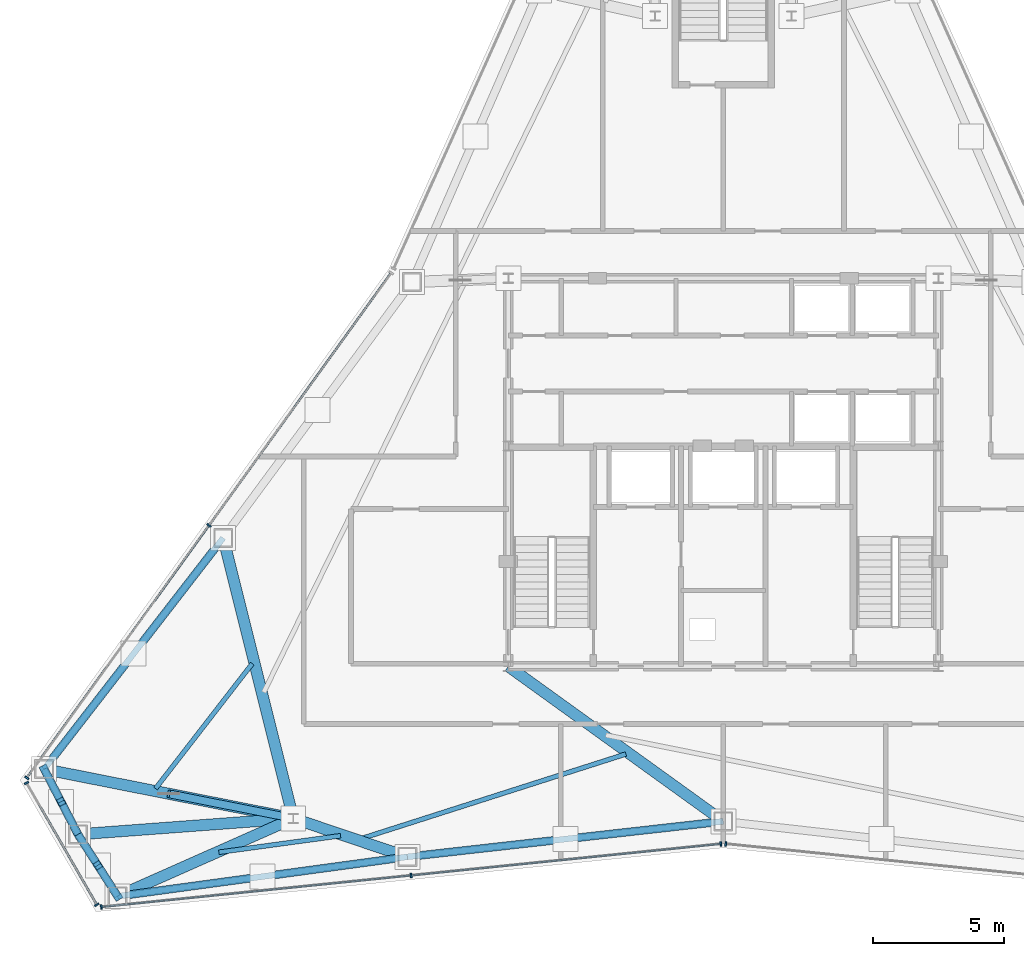
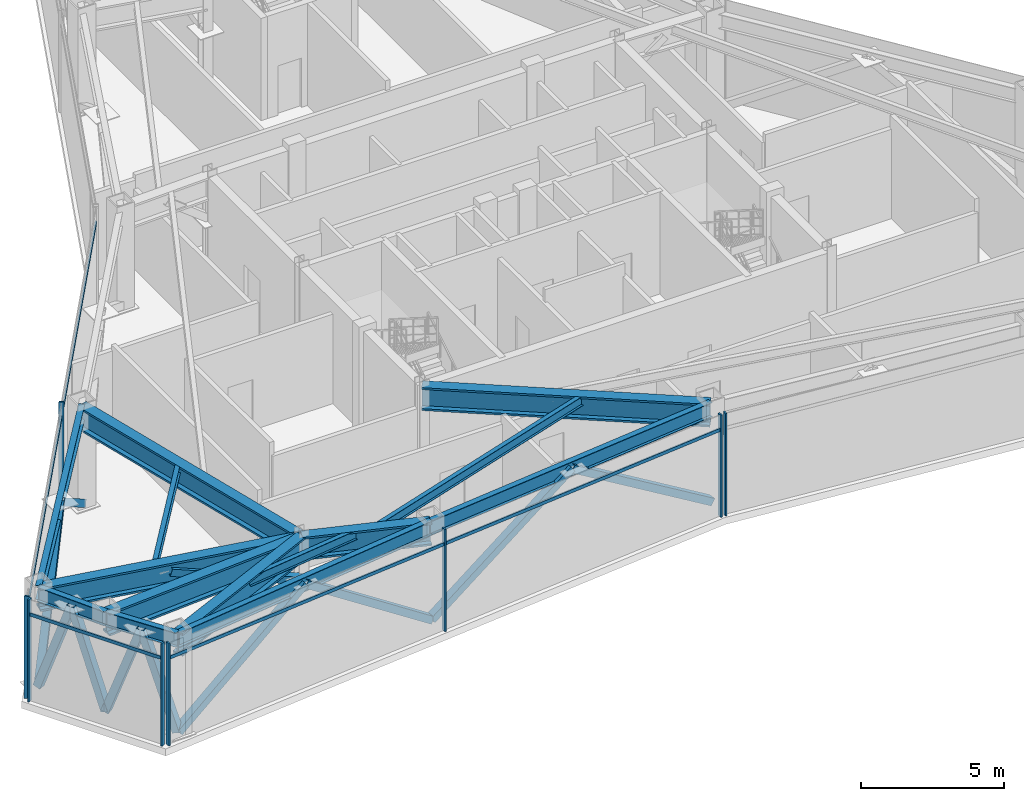
# One storey, part 3 of 12: 22 members, 14 beams, 4 elements without a shape of their own.
"""IFC4 building model written with IfcOpenShell, lengths in metres."""

from ifc_helpers import new_model, si_unit, direction, frame, origin, origin_2d, place, context, subcontext, project, spatial, rectangle, hollow_rectangle, i_section, extrude, source, transform, mapped, material, layer, layer_set, material_profile, profile_set, type_object, type_shapes, element, aggregate, save


model = new_model("IFC4")

# Units and contexts
model_context = context("Model", 3, precision=1e-05, world=origin(), true_north=direction((0.0, 1.0)))
body_context = subcontext(model_context, "Body", "Model", "MODEL_VIEW")
ifc_project = project(units=[si_unit("LENGTHUNIT", "METRE"), si_unit("AREAUNIT", "SQUARE_METRE"), si_unit("VOLUMEUNIT", "CUBIC_METRE"), si_unit("PLANEANGLEUNIT", "RADIAN"), si_unit("MASSUNIT", "GRAM", prefix="KILO")], contexts=[model_context])

# Site, building, storey
site_placement = place(None, origin())
site = spatial("IfcSite", under=ifc_project, at=site_placement, CompositionType="ELEMENT")
building_placement = place(site_placement, origin())
building = spatial("IfcBuilding", under=site, at=building_placement, Name="Varakhsha Concourse Tower", CompositionType="ELEMENT")
storey_placement = place(building_placement, frame((0.0, 0.0, 250.39990234375)))
storey = spatial("IfcBuildingStorey", under=building, at=storey_placement, Name="L71", CompositionType="ELEMENT", Elevation=250.39990234375)

# Beams
ifc_material_1 = material(Name="Structural Steel ASTM A992 Grade 50", Category="steel")
ifc_material_profile_1 = material_profile(ifc_material_1, i_section(OverallWidth=0.177978515625, OverallDepth=0.406982421875, WebThickness=0.008056640625, FlangeThickness=0.012939453125, at=origin_2d()), Name="W16X40")
ifc_profile_set_1 = profile_set([ifc_material_profile_1], Name="Structural Steel ASTM A992 Grade 50")
beam_type_1 = type_object("IfcBeamType", Name="BM-JST-W16X40", PredefinedType="JOIST", material=ifc_profile_set_1)
beam_1_placement = place(storey_placement, frame((22.035888671875, 16.50341796875, 4.146484375), z_axis=(-0.612222230768, -0.790685740452, 0.0), x_axis=(0.790685740452, -0.612222230768, 0.0)))
element("IfcBeam", 1, at=beam_1_placement, inside=storey, type_object=beam_type_1, Name="BM-TJST-L71-06", PredefinedType="JOIST", context=body_context, shape_type="SweptSolid", body=[
    extrude(i_section(OverallWidth=0.177978515625, OverallDepth=0.406982421875, WebThickness=0.008056640625, FlangeThickness=0.012939453125, at=origin_2d()), origin(), (0.0, 0.0, 1.0), 6.024658203125),
])
beam_2_placement = place(storey_placement, frame((20.760986328125, 9.30810546875, 4.146484375), z_axis=(0.990870382928, 0.134817967037, 0.0), x_axis=(-0.134817967037, 0.990870382928, 0.0)))
element("IfcBeam", 2, at=beam_2_placement, inside=storey, type_object=beam_type_1, Name="BM-TJST-L71-09", PredefinedType="JOIST", context=body_context, shape_type="SweptSolid", body=[
    extrude(i_section(OverallWidth=0.177978515625, OverallDepth=0.406982421875, WebThickness=0.008056640625, FlangeThickness=0.012939453125, at=origin_2d()), origin(), (0.0, 0.0, 1.0), 4.6865234375),
])
beam_3_placement = place(storey_placement, frame((26.140625, 9.8125, 4.146484375), z_axis=(0.952511924863, 0.304501285701, 0.0), x_axis=(-0.304501285701, 0.952511924863, 0.0)))
element("IfcBeam", 3, at=beam_3_placement, inside=storey, type_object=beam_type_1, Name="BM-TJST-L71-10", PredefinedType="JOIST", context=body_context, shape_type="SweptSolid", body=[
    extrude(i_section(OverallWidth=0.177978515625, OverallDepth=0.406982421875, WebThickness=0.008056640625, FlangeThickness=0.012939453125, at=origin_2d()), origin(), (0.0, 0.0, 1.0), 10.65234375),
])
ifc_material_profile_2 = material_profile(ifc_material_1, i_section(OverallWidth=0.22900390625, OverallDepth=0.612060546875, WebThickness=0.011962890625, FlangeThickness=0.02001953125, at=origin_2d()), Name="W24X84")
ifc_profile_set_2 = profile_set([ifc_material_profile_2], Name="Structural Steel ASTM A992 Grade 50")
beam_type_2 = type_object("IfcBeamType", Name="BM-SPAN-W24X84", PredefinedType="SPANDREL", material=ifc_profile_set_2)
beam_4_placement = place(storey_placement, frame((20.92724609375, 21.29736328125, 4.044189453125), z_axis=(-0.612217348488, -0.790689520741, 0.0), x_axis=(0.790689520741, -0.612217348488, 0.0)))
element("IfcBeam", 4, at=beam_4_placement, inside=storey, type_object=beam_type_2, Name="BM-SPAN-L71-06", PredefinedType="SPANDREL", context=body_context, shape_type="SweptSolid", body=[
    extrude(i_section(OverallWidth=0.22900390625, OverallDepth=0.612060546875, WebThickness=0.011962890625, FlangeThickness=0.02001953125, at=origin_2d()), origin(), (0.0, 0.0, 1.0), 11.151611328125),
])
beam_5_placement = place(storey_placement, frame((14.10009765625, 12.47998046875, 4.044189453125), z_axis=(0.460230722474, -0.887799347877, 0.0), x_axis=(0.887799347877, 0.460230722474, 0.0)))
element("IfcBeam", 5, at=beam_5_placement, inside=storey, type_object=beam_type_2, Name="BM-SPAN-L71-07", PredefinedType="SPANDREL", context=body_context, shape_type="SweptSolid", body=[
    extrude(i_section(OverallWidth=0.22900390625, OverallDepth=0.612060546875, WebThickness=0.011962890625, FlangeThickness=0.02001953125, at=origin_2d()), origin(), (0.0, 0.0, 1.0), 2.802978515625),
])
beam_6_placement = place(storey_placement, frame((15.39013671875, 9.991455078125, 4.044189453125), z_axis=(0.538762033455, -0.842457993794, 0.0), x_axis=(0.842457993794, 0.538762033455, 0.0)))
element("IfcBeam", 6, at=beam_6_placement, inside=storey, type_object=beam_type_2, Name="BM-SPAN-L71-08", PredefinedType="SPANDREL", context=body_context, shape_type="SweptSolid", body=[
    extrude(i_section(OverallWidth=0.22900390625, OverallDepth=0.612060546875, WebThickness=0.011962890625, FlangeThickness=0.02001953125, at=origin_2d()), origin(), (0.0, 0.0, 1.0), 2.80322265625),
])
beam_7_placement = place(storey_placement, frame((16.900390625, 7.6298828125, 4.044189453125), z_axis=(0.990863976686, 0.134865042565, 0.0), x_axis=(-0.134865042565, 0.990863976686, 0.0)))
element("IfcBeam", 7, at=beam_7_placement, inside=storey, type_object=beam_type_2, Name="BM-SPAN-L71-09", PredefinedType="SPANDREL", context=body_context, shape_type="SweptSolid", body=[
    extrude(i_section(OverallWidth=0.22900390625, OverallDepth=0.612060546875, WebThickness=0.011962890625, FlangeThickness=0.02001953125, at=origin_2d()), origin(), (0.0, 0.0, 1.0), 11.151123046875),
])
beam_8_placement = place(storey_placement, frame((27.94970703125, 9.1337890625, 4.044189453125), z_axis=(0.993737521425, 0.11173960136, 0.0), x_axis=(-0.11173960136, 0.993737521425, 0.0)))
element("IfcBeam", 8, at=beam_8_placement, inside=storey, type_object=beam_type_2, Name="BM-SPAN-L71-10", PredefinedType="SPANDREL", context=body_context, shape_type="SweptSolid", body=[
    extrude(i_section(OverallWidth=0.22900390625, OverallDepth=0.612060546875, WebThickness=0.011962890625, FlangeThickness=0.02001953125, at=origin_2d()), origin(), (0.0, 0.0, 1.0), 12.126220703125),
])
ifc_material_profile_3 = material_profile(ifc_material_1, i_section(OverallWidth=0.427978515625, OverallDepth=0.97509765625, WebThickness=0.050048828125, FlangeThickness=0.0810546875, at=origin_2d()), Name="W36X395")
ifc_profile_set_3 = profile_set([ifc_material_profile_3], Name="Structural Steel ASTM A992 Grade 50")
beam_type_3 = type_object("IfcBeamType", Name="BM-XFER-W36X395", PredefinedType="USERDEFINED", material=ifc_profile_set_3)
beam_9_placement = place(storey_placement, frame((23.60009765625, 10.60009765625, 3.862548828125), z_axis=(-0.242410585861, 0.970173751378, 0.0), x_axis=(-0.970173751378, -0.242410585861, 0.0)))
element("IfcBeam", 9, at=beam_9_placement, inside=storey, type_object=beam_type_3, Name="L71 Outrigger Top Chord 06", ObjectType="GIRDER", PredefinedType="USERDEFINED", context=body_context, shape_type="SweptSolid", body=[
    extrude(i_section(OverallWidth=0.427978515625, OverallDepth=0.97509765625, WebThickness=0.050048828125, FlangeThickness=0.0810546875, at=origin_2d()), origin(), (0.0, 0.0, 1.0), 11.026123046875),
])
beam_10_placement = place(storey_placement, frame((23.60009765625, 10.60009765625, 3.862548828125), z_axis=(-0.980978125566, 0.194118307125, 0.0), x_axis=(-0.194118307125, -0.980978125566, 0.0)))
element("IfcBeam", 10, at=beam_10_placement, inside=storey, type_object=beam_type_3, Name="L71 Outrigger Top Chord 07", ObjectType="GIRDER", PredefinedType="USERDEFINED", context=body_context, shape_type="SweptSolid", body=[
    extrude(i_section(OverallWidth=0.427978515625, OverallDepth=0.97509765625, WebThickness=0.050048828125, FlangeThickness=0.0810546875, at=origin_2d()), origin(), (0.0, 0.0, 1.0), 9.684326171875),
])
beam_11_placement = place(storey_placement, frame((23.60009765625, 10.60009765625, 3.862548828125), z_axis=(-0.997263302263, -0.073931765569, 0.0), x_axis=(0.073931765569, -0.997263302263, 0.0)))
element("IfcBeam", 11, at=beam_11_placement, inside=storey, type_object=beam_type_3, Name="L71 Outrigger Top Chord 08", ObjectType="GIRDER", PredefinedType="USERDEFINED", context=body_context, shape_type="SweptSolid", body=[
    extrude(i_section(OverallWidth=0.427978515625, OverallDepth=0.97509765625, WebThickness=0.050048828125, FlangeThickness=0.0810546875, at=origin_2d()), origin(), (0.0, 0.0, 1.0), 8.232421875),
])
beam_12_placement = place(storey_placement, frame((23.60009765625, 10.60009765625, 3.862548828125), z_axis=(-0.914187563748, -0.405291374556, 0.0), x_axis=(0.405291374556, -0.914187563748, 0.0)))
element("IfcBeam", 12, at=beam_12_placement, inside=storey, type_object=beam_type_3, Name="L71 Outrigger Top Chord 09", ObjectType="GIRDER", PredefinedType="USERDEFINED", context=body_context, shape_type="SweptSolid", body=[
    extrude(i_section(OverallWidth=0.427978515625, OverallDepth=0.97509765625, WebThickness=0.050048828125, FlangeThickness=0.0810546875, at=origin_2d()), origin(), (0.0, 0.0, 1.0), 7.32861328125),
])
beam_13_placement = place(storey_placement, frame((23.60009765625, 10.60009765625, 3.862548828125), z_axis=(0.947603418082, -0.319449154075, 0.0), x_axis=(0.319449154075, 0.947603418082, 0.0)))
element("IfcBeam", 13, at=beam_13_placement, inside=storey, type_object=beam_type_3, Name="L71 Outrigger Top Chord 10", ObjectType="GIRDER", PredefinedType="USERDEFINED", context=body_context, shape_type="SweptSolid", body=[
    extrude(i_section(OverallWidth=0.427978515625, OverallDepth=0.97509765625, WebThickness=0.050048828125, FlangeThickness=0.0810546875, at=origin_2d()), origin(), (0.0, 0.0, 1.0), 4.590087890625),
])
beam_14_placement = place(storey_placement, frame((31.800048828125, 16.39990234375, 3.862548828125), z_axis=(0.811197960411, -0.584771638356, 0.0), x_axis=(0.584771638356, 0.811197960411, 0.0)))
element("IfcBeam", 14, at=beam_14_placement, inside=storey, type_object=beam_type_3, Name="L71 Outrigger Top Chord 11", ObjectType="GIRDER", PredefinedType="USERDEFINED", context=body_context, shape_type="SweptSolid", body=[
    extrude(i_section(OverallWidth=0.427978515625, OverallDepth=0.97509765625, WebThickness=0.050048828125, FlangeThickness=0.0810546875, at=origin_2d()), origin(), (0.0, 0.0, 1.0), 10.1083984375),
])

# Members
ifc_material_2 = material(Name="Structural Steel ASTM A500 Grade C", Category="steel")
ifc_material_profile_4 = material_profile(ifc_material_2, hollow_rectangle(XDim=0.300048828125, YDim=0.300048828125, WallThickness=0.013916015625, at=origin_2d()), Name="HSS 300x300x14")
ifc_profile_set_4 = profile_set([ifc_material_profile_4], Name="Structural Steel ASTM A500 Grade C")
member_type_1 = type_object("IfcMemberType", Name="MB-BELT-HSS300", PredefinedType="BRACE", material=ifc_profile_set_4)
shared_shape_1 = source(origin(), body_context, "Body", "SweptSolid", [
    extrude(hollow_rectangle(XDim=0.300048828125, YDim=0.300048828125, WallThickness=0.013916015625, at=origin_2d()), origin(), (0.0, 0.0, 1.0), 4.17236328125),
])
for number, where, z_axis, x_axis, name in (
    (15, (14.10009765625, 12.47998046875, 0.1201171875), (0.154594735023, -0.298188784889, 0.941904409412), (0.887780897112, 0.460266312827, 0.0), "L71 Belt Truss Chevron 07A"),
    (16, (15.39013671875, 9.991455078125, 0.1201171875), (-0.154592037413, 0.298242094888, 0.941887973596), (-0.887817794363, -0.460195136886, 0.0), "L71 Belt Truss Chevron 07B"),
    (17, (15.39013671875, 9.991455078125, 0.1201171875), (0.180983386079, -0.282973053694, 0.941897693407), (0.842432710781, 0.538801566262, 0.0), "L71 Belt Truss Chevron 08A"),
    (18, (16.900390625, 7.6298828125, 0.1201171875), (-0.180980389148, 0.283026880798, 0.941882096384), (-0.842483271243, -0.538722505262, 0.0), "L71 Belt Truss Chevron 08B"),
):
    element("IfcMember", number, at=place(storey_placement, frame(where, z_axis=z_axis, x_axis=x_axis)), inside=storey, type_object=member_type_1, Name=name, PredefinedType="BRACE", context=body_context, shape_type="MappedRepresentation", body=[
        mapped(shared_shape_1, transform((0.0, 0.0, 0.0), scale=1.0)),
    ])
shared_shape_2 = source(origin(), body_context, "Body", "SweptSolid", [
    extrude(hollow_rectangle(XDim=0.300048828125, YDim=0.300048828125, WallThickness=0.013916015625, at=origin_2d()), origin(), (0.0, 0.0, 1.0), 6.821533203125),
])
for number, where, z_axis, x_axis, name in (
    (19, (20.92724609375, 21.29736328125, 0.1201171875), (-0.500411063637, -0.646289728734, 0.576106200212), (0.790689520741, -0.612217348488, 0.0), "L71 Belt Truss Chevron 06A"),
    (20, (14.10009765625, 12.47998046875, 0.1201171875), (0.500411063637, 0.646289728734, 0.576106200212), (-0.790689520741, 0.612217348488, 0.0), "L71 Belt Truss Chevron 06B"),
):
    element("IfcMember", number, at=place(storey_placement, frame(where, z_axis=z_axis, x_axis=x_axis)), inside=storey, type_object=member_type_1, Name=name, PredefinedType="BRACE", context=body_context, shape_type="MappedRepresentation", body=[
        mapped(shared_shape_2, transform((0.0, 0.0, 0.0), scale=1.0)),
    ])
shared_shape_3 = source(origin(), body_context, "Body", "SweptSolid", [
    extrude(hollow_rectangle(XDim=0.300048828125, YDim=0.300048828125, WallThickness=0.013916015625, at=origin_2d()), origin(), (0.0, 0.0, 1.0), 7.225341796875),
])
for number, where, z_axis, x_axis, name in (
    (21, (27.94970703125, 9.1337890625, 0.1201171875), (0.833889408027, 0.093765675565, 0.543908497144), (-0.11173960136, 0.993737521425, 0.0), "L71 Belt Truss Chevron 10A"),
    (22, (40.0, 10.48876953125, 0.1201171875), (-0.833889408027, -0.093765675565, 0.543908497144), (0.11173960136, -0.993737521425, 0.0), "L71 Belt Truss Chevron 10B"),
):
    element("IfcMember", number, at=place(storey_placement, frame(where, z_axis=z_axis, x_axis=x_axis)), inside=storey, type_object=member_type_1, Name=name, PredefinedType="BRACE", context=body_context, shape_type="MappedRepresentation", body=[
        mapped(shared_shape_3, transform((0.0, 0.0, 0.0), scale=1.0)),
    ])
shared_shape_4 = source(origin(), body_context, "Body", "SweptSolid", [
    extrude(hollow_rectangle(XDim=0.300048828125, YDim=0.300048828125, WallThickness=0.013916015625, at=origin_2d()), origin(), (0.0, 0.0, 1.0), 6.8212890625),
])
type_shapes(member_type_1, [shared_shape_1, shared_shape_2, shared_shape_3, shared_shape_4])
for number, where, z_axis, x_axis, name in (
    (23, (16.900390625, 7.6298828125, 0.1201171875), (0.80989965491, 0.110234254148, 0.576117139294), (-0.134865042565, 0.990863976686, 0.0), "L71 Belt Truss Chevron 09A"),
    (24, (27.94970703125, 9.1337890625, 0.1201171875), (-0.80989965491, -0.110234254148, 0.576117139294), (0.134865042565, -0.990863976686, 0.0), "L71 Belt Truss Chevron 09B"),
):
    element("IfcMember", number, at=place(storey_placement, frame(where, z_axis=z_axis, x_axis=x_axis)), inside=storey, type_object=member_type_1, Name=name, PredefinedType="BRACE", context=body_context, shape_type="MappedRepresentation", body=[
        mapped(shared_shape_4, transform((0.0, 0.0, 0.0), scale=1.0)),
    ])
ifc_material_profile_5 = material_profile(ifc_material_2, hollow_rectangle(XDim=0.300048828125, YDim=0.300048828125, WallThickness=0.013916015625, at=origin_2d()), Name="HSS 300x300x14")
ifc_profile_set_5 = profile_set([ifc_material_profile_5], Name="Structural Steel ASTM A500 Grade C")
member_type_2 = type_object("IfcMemberType", Name="MB-OUTR-HSS300", PredefinedType="STRUT", material=ifc_profile_set_5)
shared_shape_5 = source(origin(), body_context, "Body", "SweptSolid", [
    extrude(hollow_rectangle(XDim=0.300048828125, YDim=0.300048828125, WallThickness=0.013916015625, at=origin_2d()), origin(), (0.0, 0.0, 1.0), 5.054443359375),
])
type_shapes(member_type_2, [shared_shape_5])
member_1_placement = place(storey_placement, frame((23.60009765625, 10.60009765625, 2.4501953125), z_axis=(-0.939749700425, 0.185959927356, 0.286861300926), x_axis=(-0.194118307125, -0.980978125566, 0.0)))
element("IfcMember", 25, at=member_1_placement, inside=storey, type_object=member_type_2, Name="L71 Outrigger Truss Strut 04", PredefinedType="STRUT", context=body_context, shape_type="MappedRepresentation", body=[
    mapped(shared_shape_5, transform((0.0, 0.0, 0.0), scale=1.0)),
])

# Curtain wall, members
ifc_material_3 = material(Name="Anodised Bronze Architectural Aluminium AA 6063-T6", Category="aluminium")
ifc_layer = layer(ifc_material_3, 0.260009765625, Name="CW-SYS-06")
ifc_layer_set = layer_set([ifc_layer], Name="Anodised Bronze Architectural Aluminium AA 6063-T6")
curtain_wall_type = type_object("IfcCurtainWallType", Name="CW-SYS-06", PredefinedType="NOTDEFINED", material=ifc_layer_set)
curtain_wall_1_placement = place(storey_placement, origin())
curtain_wall_1 = element("IfcCurtainWall", 26, at=curtain_wall_1_placement, inside=storey, type_object=curtain_wall_type, Name="L71 Crystal Curtain Wall F3", PredefinedType="NOTDEFINED")
ifc_material_profile_6 = material_profile(ifc_material_3, rectangle(XDim=0.06494140625, YDim=0.179931640625, at=origin_2d()), Name="CWM-180X65")
ifc_profile_set_6 = profile_set([ifc_material_profile_6], Name="Anodised Bronze Architectural Aluminium AA 6063-T6")
member_type_3 = type_object("IfcMemberType", Name="CWM-180X65", PredefinedType="MULLION", material=ifc_profile_set_6)
shared_shape_6 = source(origin(), body_context, "Body", "SweptSolid", [
    extrude(rectangle(XDim=0.06494140625, YDim=0.179931640625, at=origin_2d()), origin(), (0.0, 0.0, 1.0), 4.35009765625),
])
type_shapes(member_type_3, [shared_shape_6])
member_2_placement = place(storey_placement, frame((13.4365234375, 12.147705078125, 0.0), z_axis=(0.0, 0.0, 1.0), x_axis=(0.585186974494, 0.810898393686, 0.0)))
member_2 = element("IfcMember", 27, at=member_2_placement, type_object=member_type_3, Name="CW-L71-F3 Mullion 00", PredefinedType="MULLION", context=body_context, shape_type="MappedRepresentation", body=[
    mapped(shared_shape_6, transform((0.0, 0.0, 0.0), scale=1.0)),
])
member_3_placement = place(storey_placement, frame((20.384521484375, 21.775390625, 0.0), z_axis=(0.0, 0.0, 1.0), x_axis=(0.585186974494, 0.810898393686, 0.0)))
member_3 = element("IfcMember", 28, at=member_3_placement, type_object=member_type_3, Name="CW-L71-F3 Mullion 01", PredefinedType="MULLION", context=body_context, shape_type="MappedRepresentation", body=[
    mapped(shared_shape_6, transform((0.0, 0.0, 0.0), scale=1.0)),
])

curtain_wall_2_placement = place(storey_placement, origin())
curtain_wall_2 = element("IfcCurtainWall", 29, at=curtain_wall_2_placement, inside=storey, type_object=curtain_wall_type, Name="L71 Chamfer Curtain Wall F4", PredefinedType="NOTDEFINED")
member_4_placement = place(storey_placement, frame((16.106689453125, 7.310546875, 0.0), z_axis=(0.0, 0.0, 1.0), x_axis=(-0.5, 0.866025403784, 0.0)))
member_4 = element("IfcMember", 30, at=member_4_placement, type_object=member_type_3, Name="CW-L71-F4 Mullion 00", PredefinedType="MULLION", context=body_context, shape_type="MappedRepresentation", body=[
    mapped(shared_shape_6, transform((0.0, 0.0, 0.0), scale=1.0)),
])
member_5_placement = place(storey_placement, frame((13.426513671875, 11.952392578125, 0.0), z_axis=(0.0, 0.0, 1.0), x_axis=(-0.5, 0.866025403784, 0.0)))
member_5 = element("IfcMember", 31, at=member_5_placement, type_object=member_type_3, Name="CW-L71-F4 Mullion 01", PredefinedType="MULLION", context=body_context, shape_type="MappedRepresentation", body=[
    mapped(shared_shape_6, transform((0.0, 0.0, 0.0), scale=1.0)),
])

curtain_wall_3_placement = place(storey_placement, origin())
curtain_wall_3 = element("IfcCurtainWall", 32, at=curtain_wall_3_placement, inside=storey, type_object=curtain_wall_type, Name="L71 Crystal Curtain Wall F5", PredefinedType="NOTDEFINED")
member_6_placement = place(storey_placement, frame((39.904296875, 9.627685546875, 0.0), z_axis=(0.0, 0.0, 1.0), x_axis=(-0.994852272933, -0.101335852689, 0.0)))
member_6 = element("IfcMember", 33, at=member_6_placement, type_object=member_type_3, Name="CW-L71-F5 Mullion 00", PredefinedType="MULLION", context=body_context, shape_type="MappedRepresentation", body=[
    mapped(shared_shape_6, transform((0.0, 0.0, 0.0), scale=1.0)),
])
member_7_placement = place(storey_placement, frame((28.092529296875, 8.4248046875, 0.0), z_axis=(0.0, 0.0, 1.0), x_axis=(-0.994852272933, -0.101335852689, 0.0)))
member_7 = element("IfcMember", 34, at=member_7_placement, type_object=member_type_3, Name="CW-L71-F5 Mullion 01", PredefinedType="MULLION", context=body_context, shape_type="MappedRepresentation", body=[
    mapped(shared_shape_6, transform((0.0, 0.0, 0.0), scale=1.0)),
])
member_8_placement = place(storey_placement, frame((16.28076171875, 7.221435546875, 0.0), z_axis=(0.0, 0.0, 1.0), x_axis=(-0.994852272933, -0.101335852689, 0.0)))
member_8 = element("IfcMember", 35, at=member_8_placement, type_object=member_type_3, Name="CW-L71-F5 Mullion 02", PredefinedType="MULLION", context=body_context, shape_type="MappedRepresentation", body=[
    mapped(shared_shape_6, transform((0.0, 0.0, 0.0), scale=1.0)),
])

# Curtain wall, member
curtain_wall_4_placement = place(storey_placement, origin())
curtain_wall_4 = element("IfcCurtainWall", 36, at=curtain_wall_4_placement, inside=storey, type_object=curtain_wall_type, Name="L71 Crystal Curtain Wall F6", PredefinedType="NOTDEFINED")
member_9_placement = place(storey_placement, frame((40.095703125, 9.627685546875, 0.0), z_axis=(0.0, 0.0, 1.0), x_axis=(-0.994852272933, 0.101335852689, 0.0)))
member_9 = element("IfcMember", 37, at=member_9_placement, type_object=member_type_3, Name="CW-L71-F6 Mullion 02", PredefinedType="MULLION", context=body_context, shape_type="MappedRepresentation", body=[
    mapped(shared_shape_6, transform((0.0, 0.0, 0.0), scale=1.0)),
])
aggregate(curtain_wall_4, [member_9])

# Member
ifc_material_profile_7 = material_profile(ifc_material_3, rectangle(XDim=0.06005859375, YDim=0.139892578125, at=origin_2d()), Name="CWT-140X60")
ifc_profile_set_7 = profile_set([ifc_material_profile_7], Name="Anodised Bronze Architectural Aluminium AA 6063-T6")
member_type_4 = type_object("IfcMemberType", Name="CWT-140X60", PredefinedType="USERDEFINED", material=ifc_profile_set_7)
shared_shape_7 = source(origin(), body_context, "Body", "SweptSolid", [
    extrude(rectangle(XDim=0.06005859375, YDim=0.139892578125, at=origin_2d()), origin(), (0.0, 0.0, 1.0), 23.745849609375),
])
member_10_placement = place(storey_placement, frame((13.4365234375, 12.147705078125, 3.7001953125), z_axis=(0.58518870192, 0.810897147082, 0.0), x_axis=(-0.810897147082, 0.58518870192, 0.0)))
member_10 = element("IfcMember", 38, at=member_10_placement, type_object=member_type_4, Name="CW-L71-F3 Transom 01", ObjectType="TRANSOM", PredefinedType="USERDEFINED", context=body_context, shape_type="MappedRepresentation", body=[
    mapped(shared_shape_7, transform((0.0, 0.0, 0.0), scale=1.0)),
])

aggregate(curtain_wall_1, [member_2, member_3, member_10])

member_11_placement = place(storey_placement, frame((39.904296875, 9.627685546875, 3.7001953125), z_axis=(-0.994852476906, -0.101333850193, 0.0), x_axis=(0.101333850193, -0.994852476906, 0.0)))
member_11 = element("IfcMember", 39, at=member_11_placement, type_object=member_type_4, Name="CW-L71-F5 Transom 01", ObjectType="TRANSOM", PredefinedType="USERDEFINED", context=body_context, shape_type="MappedRepresentation", body=[
    mapped(shared_shape_7, transform((0.0, 0.0, 0.0), scale=1.0)),
])

aggregate(curtain_wall_3, [member_6, member_7, member_8, member_11])

shared_shape_8 = source(origin(), body_context, "Body", "SweptSolid", [
    extrude(rectangle(XDim=0.06005859375, YDim=0.139892578125, at=origin_2d()), origin(), (0.0, 0.0, 1.0), 5.360107421875),
])
type_shapes(member_type_4, [shared_shape_7, shared_shape_8])
member_12_placement = place(storey_placement, frame((16.106689453125, 7.310546875, 3.7001953125), z_axis=(-0.500028672299, 0.866008849192, 0.0), x_axis=(-0.866008849192, -0.500028672299, 0.0)))
member_12 = element("IfcMember", 40, at=member_12_placement, type_object=member_type_4, Name="CW-L71-F4 Transom 01", ObjectType="TRANSOM", PredefinedType="USERDEFINED", context=body_context, shape_type="MappedRepresentation", body=[
    mapped(shared_shape_8, transform((0.0, 0.0, 0.0), scale=1.0)),
])

aggregate(curtain_wall_2, [member_4, member_5, member_12])

save(model, "model.ifc")
